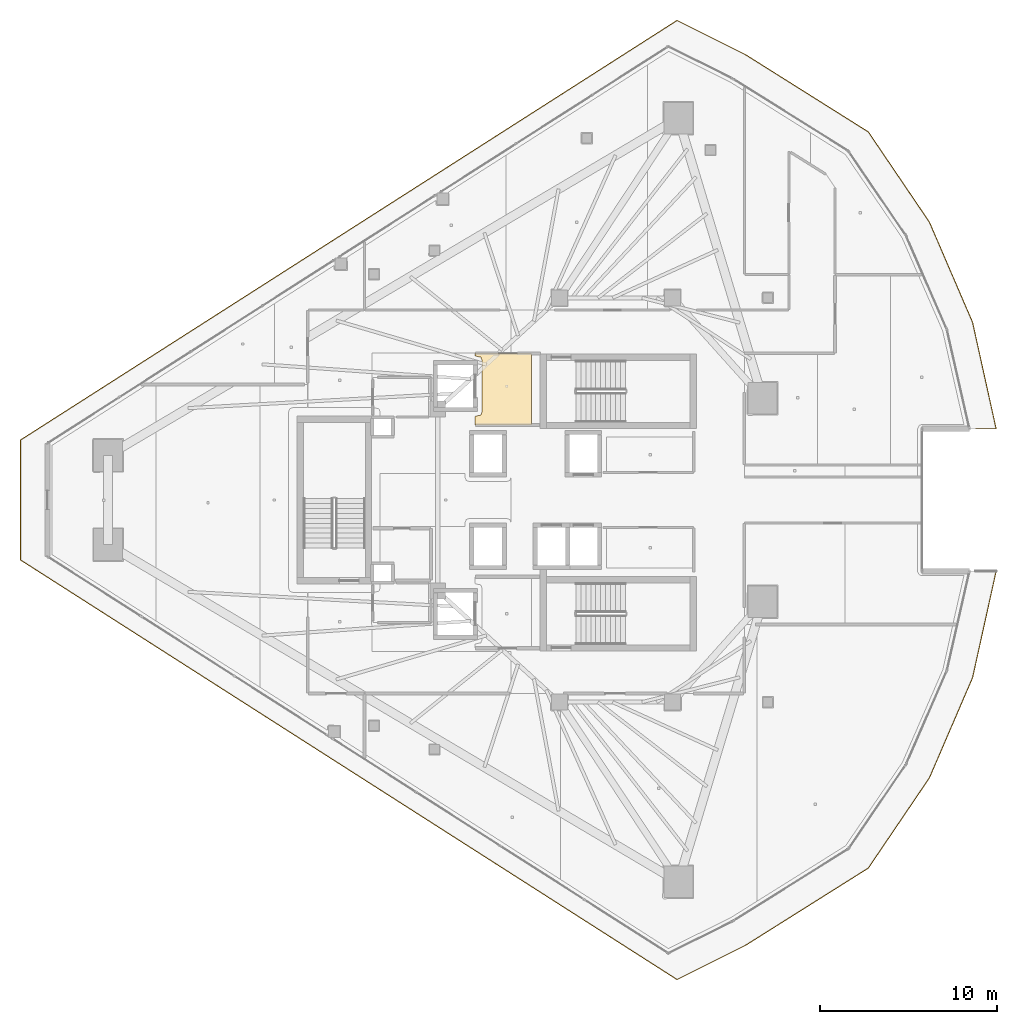
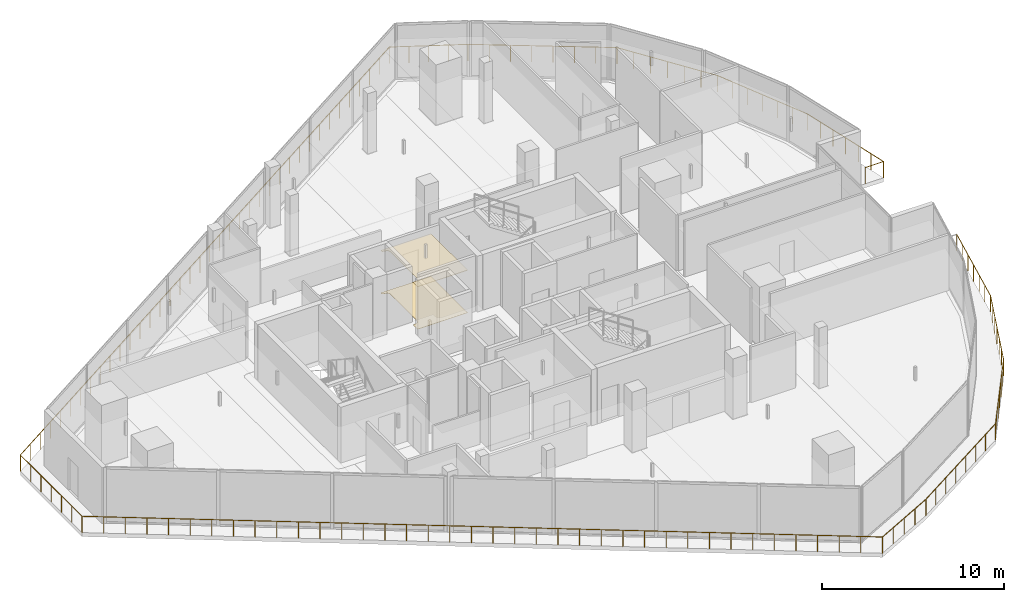
# One storey, part 31 of 34: 2 coverings, 1 railing.
"""IFC4 building model written with IfcOpenShell, lengths in metres."""

from ifc_helpers import new_model, si_unit, direction, frame, origin, origin_2d, place, context, subcontext, project, spatial, polyline, circle, outline, extrude, material, layer, layer_set, type_object, element, save


model = new_model("IFC4")

# Units and contexts
model_context = context("Model", 3, precision=1e-05, world=origin(), true_north=direction((0.0, 1.0)))
body_context = subcontext(model_context, "Body", "Model", "MODEL_VIEW")
ifc_project = project(units=[si_unit("LENGTHUNIT", "METRE"), si_unit("AREAUNIT", "SQUARE_METRE"), si_unit("VOLUMEUNIT", "CUBIC_METRE"), si_unit("PLANEANGLEUNIT", "RADIAN"), si_unit("MASSUNIT", "GRAM", prefix="KILO")], contexts=[model_context])

# Site, building, storey
site_placement = place(None, origin())
site = spatial("IfcSite", under=ifc_project, at=site_placement, CompositionType="ELEMENT")
building_placement = place(site_placement, origin())
building = spatial("IfcBuilding", under=site, at=building_placement, Name="Qorvath Tower", CompositionType="ELEMENT")
storey_placement = place(building_placement, frame((0.0, 0.0, 245.550048828125)))
storey = spatial("IfcBuildingStorey", under=building, at=storey_placement, Name="L57", CompositionType="ELEMENT", Elevation=245.550048828125)

# Coverings
ifc_material_1 = material(Name="Acoustic mineral fibre ceiling tile", Category="gypsum")
ifc_layer_1 = layer(ifc_material_1, 0.030029296875)
ifc_layer_set_1 = layer_set([ifc_layer_1], Name="COV-CEIL")
covering_type_1 = type_object("IfcCoveringType", Name="COV-CEIL", PredefinedType="CEILING", material=ifc_layer_set_1)
covering_1_placement = place(storey_placement, frame((0.0, 0.0, 2.849853515625)))
element("IfcCovering", 1, at=covering_1_placement, inside=storey, type_object=covering_type_1, Name="L57 Suspended Acoustic Ceiling 001", PredefinedType="CEILING", context=body_context, shape_type="SweptSolid", body=[
    extrude(outline(polyline([(-25.18994140625, 4.2548828125), (-25.18994140625, 8.294921875), (-28.375, 8.294921875), (-28.375, 8.159912109375), (-28.063232421875, 8.086669921875), (-27.989990234375, 7.909912109375), (-27.989990234375, 4.989990234375), (-28.063232421875, 4.813232421875), (-28.375, 4.739990234375), (-28.375, 4.2548828125), (-25.18994140625, 4.2548828125)])), origin(), (0.0, 0.0, 1.0), 0.030029296875),
])
ifc_material_2 = material(Name="Polished epoxy terrazzo flooring", Category="concrete")
ifc_layer_2 = layer(ifc_material_2, 0.02001953125)
ifc_layer_set_2 = layer_set([ifc_layer_2], Name="COV-FLOOR-TRZ")
covering_type_2 = type_object("IfcCoveringType", Name="COV-FLOOR-TRZ", PredefinedType="FLOORING", material=ifc_layer_set_2)
covering_2_placement = place(storey_placement, origin())
element("IfcCovering", 2, at=covering_2_placement, inside=storey, type_object=covering_type_2, Name="L57 Floor Finish 001", PredefinedType="FLOORING", context=body_context, shape_type="SweptSolid", body=[
    extrude(outline(polyline([(-25.18994140625, 4.2548828125), (-25.18994140625, 8.294921875), (-28.375, 8.294921875), (-28.375, 8.159912109375), (-28.063232421875, 8.086669921875), (-27.989990234375, 7.909912109375), (-27.989990234375, 4.989990234375), (-28.063232421875, 4.813232421875), (-28.375, 4.739990234375), (-28.375, 4.2548828125), (-25.18994140625, 4.2548828125)])), origin(), (0.0, 0.0, 1.0), 0.014892578125),
])

# Railing
ifc_material_3 = material(Name="Laminated safety glass and stainless steel AISI 316", Category="steel")
railing_type = type_object("IfcRailingType", Name="RL-EXT-GRD", PredefinedType="GUARDRAIL", material=ifc_material_3)
railing_placement = place(storey_placement, frame((1.131591796875, -4.03369140625, 0.0)))
element("IfcRailing", 3, at=railing_placement, inside=storey, type_object=railing_type, Name="Loggia Perimeter Guardrail L57-1.1", PredefinedType="GUARDRAIL", context=body_context, shape_type="SweptSolid", body=[
    extrude(circle(Radius=0.02392578125, at=origin_2d()), frame((0.0, 0.0, 1.09619140625), z_axis=(-0.216072491468, -0.9763773238, 0.0), x_axis=(0.9763773238, -0.216072491468, 0.0)), (0.0, 0.0, 1.0), 6.17724609375),
    extrude(circle(Radius=0.02392578125, at=origin_2d()), frame((-1.334716796875, -6.03125, 1.09619140625), z_axis=(-0.395483357671, -0.91847314267, 0.0), x_axis=(0.91847314267, -0.395483357671, 0.0)), (0.0, 0.0, 1.0), 6.177001953125),
    extrude(circle(Radius=0.02392578125, at=origin_2d()), frame((-3.777587890625, -11.70458984375, 1.09619140625), z_axis=(-0.560832414772, -0.827929346346, 0.0), x_axis=(0.827929346346, -0.560832414772, 0.0)), (0.0, 0.0, 1.0), 6.17724609375),
    extrude(circle(Radius=0.02392578125, at=origin_2d()), frame((-7.241943359375, -16.81884765625, 1.09619140625), z_axis=(-0.846493807587, -0.532398566599, 0.0), x_axis=(0.532398566599, -0.846493807587, 0.0)), (0.0, 0.0, 1.0), 8.21435546875),
    extrude(circle(Radius=0.02392578125, at=origin_2d()), frame((-14.1953125, -21.192138671875, 1.09619140625), z_axis=(-0.894427191, -0.4472135955, 0.0), x_axis=(0.4472135955, -0.894427191, 0.0)), (0.0, 0.0, 1.0), 4.3388671875),
    extrude(circle(Radius=0.02392578125, at=origin_2d()), frame((-18.076171875, -23.132568359375, 1.09619140625), z_axis=(-0.842603536239, 0.538534382113, 0.0), x_axis=(-0.538534382113, -0.842603536239, 0.0)), (0.0, 0.0, 1.0), 44.13916015625),
    extrude(circle(Radius=0.02392578125, at=origin_2d()), frame((-55.26806640625, 0.637939453125, 1.09619140625), z_axis=(0.0, 1.0, 0.0), x_axis=(-1.0, 0.0, 0.0)), (0.0, 0.0, 1.0), 6.79150390625),
    extrude(circle(Radius=0.02392578125, at=origin_2d()), frame((-55.26806640625, 7.429443359375, 1.09619140625), z_axis=(0.842603536239, 0.538534382113, 0.0), x_axis=(-0.538534382113, 0.842603536239, 0.0)), (0.0, 0.0, 1.0), 44.13916015625),
    extrude(circle(Radius=0.02392578125, at=origin_2d()), frame((-18.076171875, 31.199951171875, 1.09619140625), z_axis=(0.894427191, -0.4472135955, 0.0), x_axis=(0.4472135955, 0.894427191, 0.0)), (0.0, 0.0, 1.0), 4.3388671875),
    extrude(circle(Radius=0.02392578125, at=origin_2d()), frame((-14.1953125, 29.259521484375, 1.09619140625), z_axis=(0.846493807587, -0.532398566599, 0.0), x_axis=(0.532398566599, 0.846493807587, 0.0)), (0.0, 0.0, 1.0), 8.21435546875),
    extrude(circle(Radius=0.02392578125, at=origin_2d()), frame((-7.241943359375, 24.88623046875, 1.09619140625), z_axis=(0.560832414772, -0.827929346346, 0.0), x_axis=(0.827929346346, 0.560832414772, 0.0)), (0.0, 0.0, 1.0), 6.17724609375),
    extrude(circle(Radius=0.02392578125, at=origin_2d()), frame((-3.777587890625, 19.77197265625, 1.09619140625), z_axis=(0.395483357671, -0.91847314267, 0.0), x_axis=(0.91847314267, 0.395483357671, 0.0)), (0.0, 0.0, 1.0), 6.177001953125),
    extrude(circle(Radius=0.02392578125, at=origin_2d()), frame((-1.334716796875, 14.0986328125, 1.09619140625), z_axis=(0.216072491468, -0.9763773238, 0.0), x_axis=(0.9763773238, 0.216072491468, 0.0)), (0.0, 0.0, 1.0), 6.17724609375),
    extrude(circle(Radius=0.02392578125, at=origin_2d()), frame((0.0, 8.0673828125, 1.09619140625), z_axis=(-1.0, 0.0, 0.0), x_axis=(0.0, -1.0, 0.0)), (0.0, 0.0, 1.0), 1.158935546875),
    extrude(circle(Radius=0.02099609375, at=origin_2d()), origin(), (0.0, 0.0, 1.0), 1.072021484375),
    extrude(circle(Radius=0.02099609375, at=origin_2d()), frame((-0.222412109375, -1.005126953125, 0.0)), (0.0, 0.0, 1.0), 1.072021484375),
    extrude(circle(Radius=0.02099609375, at=origin_2d()), frame((-0.44482421875, -2.010498046875, 0.0)), (0.0, 0.0, 1.0), 1.072021484375),
    extrude(circle(Radius=0.02099609375, at=origin_2d()), frame((-0.66748046875, -3.015625, 0.0)), (0.0, 0.0, 1.0), 1.072021484375),
    extrude(circle(Radius=0.02099609375, at=origin_2d()), frame((-0.889892578125, -4.020751953125, 0.0)), (0.0, 0.0, 1.0), 1.072021484375),
    extrude(circle(Radius=0.02099609375, at=origin_2d()), frame((-1.1123046875, -5.026123046875, 0.0)), (0.0, 0.0, 1.0), 1.072021484375),
    extrude(circle(Radius=0.02099609375, at=origin_2d()), frame((-1.334716796875, -6.03125, 0.0)), (0.0, 0.0, 1.0), 1.072021484375),
    extrude(circle(Radius=0.02099609375, at=origin_2d()), frame((-1.741943359375, -6.976806640625, 0.0)), (0.0, 0.0, 1.0), 1.072021484375),
    extrude(circle(Radius=0.02099609375, at=origin_2d()), frame((-2.14892578125, -7.92236328125, 0.0)), (0.0, 0.0, 1.0), 1.072021484375),
    extrude(circle(Radius=0.02099609375, at=origin_2d()), frame((-2.55615234375, -8.867919921875, 0.0)), (0.0, 0.0, 1.0), 1.072021484375),
    extrude(circle(Radius=0.02099609375, at=origin_2d()), frame((-2.96337890625, -9.8134765625, 0.0)), (0.0, 0.0, 1.0), 1.072021484375),
    extrude(circle(Radius=0.02099609375, at=origin_2d()), frame((-3.370361328125, -10.759033203125, 0.0)), (0.0, 0.0, 1.0), 1.072021484375),
    extrude(circle(Radius=0.02099609375, at=origin_2d()), frame((-3.777587890625, -11.70458984375, 0.0)), (0.0, 0.0, 1.0), 1.072021484375),
    extrude(circle(Radius=0.02099609375, at=origin_2d()), frame((-4.35498046875, -12.556884765625, 0.0)), (0.0, 0.0, 1.0), 1.072021484375),
    extrude(circle(Radius=0.02099609375, at=origin_2d()), frame((-4.932373046875, -13.409423828125, 0.0)), (0.0, 0.0, 1.0), 1.072021484375),
    extrude(circle(Radius=0.02099609375, at=origin_2d()), frame((-5.509765625, -14.26171875, 0.0)), (0.0, 0.0, 1.0), 1.072021484375),
    extrude(circle(Radius=0.02099609375, at=origin_2d()), frame((-6.087158203125, -15.114013671875, 0.0)), (0.0, 0.0, 1.0), 1.072021484375),
    extrude(circle(Radius=0.02099609375, at=origin_2d()), frame((-6.66455078125, -15.966552734375, 0.0)), (0.0, 0.0, 1.0), 1.072021484375),
    extrude(circle(Radius=0.02099609375, at=origin_2d()), frame((-7.241943359375, -16.81884765625, 0.0)), (0.0, 0.0, 1.0), 1.072021484375),
    extrude(circle(Radius=0.02099609375, at=origin_2d()), frame((-8.2353515625, -17.443603515625, 0.0)), (0.0, 0.0, 1.0), 1.072021484375),
    extrude(circle(Radius=0.02099609375, at=origin_2d()), frame((-9.228515625, -18.068359375, 0.0)), (0.0, 0.0, 1.0), 1.072021484375),
    extrude(circle(Radius=0.02099609375, at=origin_2d()), frame((-10.221923828125, -18.693115234375, 0.0)), (0.0, 0.0, 1.0), 1.072021484375),
    extrude(circle(Radius=0.02099609375, at=origin_2d()), frame((-11.21533203125, -19.31787109375, 0.0)), (0.0, 0.0, 1.0), 1.072021484375),
    extrude(circle(Radius=0.02099609375, at=origin_2d()), frame((-12.208740234375, -19.942626953125, 0.0)), (0.0, 0.0, 1.0), 1.072021484375),
    extrude(circle(Radius=0.02099609375, at=origin_2d()), frame((-13.201904296875, -20.5673828125, 0.0)), (0.0, 0.0, 1.0), 1.072021484375),
    extrude(circle(Radius=0.02099609375, at=origin_2d()), frame((-14.1953125, -21.192138671875, 0.0)), (0.0, 0.0, 1.0), 1.072021484375),
    extrude(circle(Radius=0.02099609375, at=origin_2d()), frame((-15.16552734375, -21.67724609375, 0.0)), (0.0, 0.0, 1.0), 1.072021484375),
    extrude(circle(Radius=0.02099609375, at=origin_2d()), frame((-16.1357421875, -22.162353515625, 0.0)), (0.0, 0.0, 1.0), 1.072021484375),
    extrude(circle(Radius=0.02099609375, at=origin_2d()), frame((-17.10595703125, -22.6474609375, 0.0)), (0.0, 0.0, 1.0), 1.072021484375),
    extrude(circle(Radius=0.02099609375, at=origin_2d()), frame((-18.076171875, -23.132568359375, 0.0)), (0.0, 0.0, 1.0), 1.072021484375),
    extrude(circle(Radius=0.02099609375, at=origin_2d()), frame((-19.081298828125, -22.490234375, 0.0)), (0.0, 0.0, 1.0), 1.072021484375),
    extrude(circle(Radius=0.02099609375, at=origin_2d()), frame((-20.08642578125, -21.84765625, 0.0)), (0.0, 0.0, 1.0), 1.072021484375),
    extrude(circle(Radius=0.02099609375, at=origin_2d()), frame((-21.091796875, -21.205322265625, 0.0)), (0.0, 0.0, 1.0), 1.072021484375),
    extrude(circle(Radius=0.02099609375, at=origin_2d()), frame((-22.096923828125, -20.562744140625, 0.0)), (0.0, 0.0, 1.0), 1.072021484375),
    extrude(circle(Radius=0.02099609375, at=origin_2d()), frame((-23.10205078125, -19.92041015625, 0.0)), (0.0, 0.0, 1.0), 1.072021484375),
    extrude(circle(Radius=0.02099609375, at=origin_2d()), frame((-24.107177734375, -19.27783203125, 0.0)), (0.0, 0.0, 1.0), 1.072021484375),
    extrude(circle(Radius=0.02099609375, at=origin_2d()), frame((-25.112548828125, -18.635498046875, 0.0)), (0.0, 0.0, 1.0), 1.072021484375),
    extrude(circle(Radius=0.02099609375, at=origin_2d()), frame((-26.11767578125, -17.992919921875, 0.0)), (0.0, 0.0, 1.0), 1.072021484375),
    extrude(circle(Radius=0.02099609375, at=origin_2d()), frame((-27.122802734375, -17.3505859375, 0.0)), (0.0, 0.0, 1.0), 1.072021484375),
    extrude(circle(Radius=0.02099609375, at=origin_2d()), frame((-28.1279296875, -16.7080078125, 0.0)), (0.0, 0.0, 1.0), 1.072021484375),
    extrude(circle(Radius=0.02099609375, at=origin_2d()), frame((-29.13330078125, -16.065673828125, 0.0)), (0.0, 0.0, 1.0), 1.072021484375),
    extrude(circle(Radius=0.02099609375, at=origin_2d()), frame((-30.138427734375, -15.423095703125, 0.0)), (0.0, 0.0, 1.0), 1.072021484375),
    extrude(circle(Radius=0.02099609375, at=origin_2d()), frame((-31.1435546875, -14.78076171875, 0.0)), (0.0, 0.0, 1.0), 1.072021484375),
    extrude(circle(Radius=0.02099609375, at=origin_2d()), frame((-32.148681640625, -14.138427734375, 0.0)), (0.0, 0.0, 1.0), 1.072021484375),
    extrude(circle(Radius=0.02099609375, at=origin_2d()), frame((-33.154052734375, -13.495849609375, 0.0)), (0.0, 0.0, 1.0), 1.072021484375),
    extrude(circle(Radius=0.02099609375, at=origin_2d()), frame((-34.1591796875, -12.853515625, 0.0)), (0.0, 0.0, 1.0), 1.072021484375),
    extrude(circle(Radius=0.02099609375, at=origin_2d()), frame((-35.164306640625, -12.2109375, 0.0)), (0.0, 0.0, 1.0), 1.072021484375),
    extrude(circle(Radius=0.02099609375, at=origin_2d()), frame((-36.16943359375, -11.568603515625, 0.0)), (0.0, 0.0, 1.0), 1.072021484375),
    extrude(circle(Radius=0.02099609375, at=origin_2d()), frame((-37.1748046875, -10.926025390625, 0.0)), (0.0, 0.0, 1.0), 1.072021484375),
    extrude(circle(Radius=0.02099609375, at=origin_2d()), frame((-38.179931640625, -10.28369140625, 0.0)), (0.0, 0.0, 1.0), 1.072021484375),
    extrude(circle(Radius=0.02099609375, at=origin_2d()), frame((-39.18505859375, -9.64111328125, 0.0)), (0.0, 0.0, 1.0), 1.072021484375),
    extrude(circle(Radius=0.02099609375, at=origin_2d()), frame((-40.190185546875, -8.998779296875, 0.0)), (0.0, 0.0, 1.0), 1.072021484375),
    extrude(circle(Radius=0.02099609375, at=origin_2d()), frame((-41.195556640625, -8.356201171875, 0.0)), (0.0, 0.0, 1.0), 1.072021484375),
    extrude(circle(Radius=0.02099609375, at=origin_2d()), frame((-42.20068359375, -7.7138671875, 0.0)), (0.0, 0.0, 1.0), 1.072021484375),
    extrude(circle(Radius=0.02099609375, at=origin_2d()), frame((-43.205810546875, -7.071533203125, 0.0)), (0.0, 0.0, 1.0), 1.072021484375),
    extrude(circle(Radius=0.02099609375, at=origin_2d()), frame((-44.2109375, -6.428955078125, 0.0)), (0.0, 0.0, 1.0), 1.072021484375),
    extrude(circle(Radius=0.02099609375, at=origin_2d()), frame((-45.21630859375, -5.78662109375, 0.0)), (0.0, 0.0, 1.0), 1.072021484375),
    extrude(circle(Radius=0.02099609375, at=origin_2d()), frame((-46.221435546875, -5.14404296875, 0.0)), (0.0, 0.0, 1.0), 1.072021484375),
    extrude(circle(Radius=0.02099609375, at=origin_2d()), frame((-47.2265625, -4.501708984375, 0.0)), (0.0, 0.0, 1.0), 1.072021484375),
    extrude(circle(Radius=0.02099609375, at=origin_2d()), frame((-48.231689453125, -3.859130859375, 0.0)), (0.0, 0.0, 1.0), 1.072021484375),
    extrude(circle(Radius=0.02099609375, at=origin_2d()), frame((-49.237060546875, -3.216796875, 0.0)), (0.0, 0.0, 1.0), 1.072021484375),
    extrude(circle(Radius=0.02099609375, at=origin_2d()), frame((-50.2421875, -2.57421875, 0.0)), (0.0, 0.0, 1.0), 1.072021484375),
    extrude(circle(Radius=0.02099609375, at=origin_2d()), frame((-51.247314453125, -1.931884765625, 0.0)), (0.0, 0.0, 1.0), 1.072021484375),
    extrude(circle(Radius=0.02099609375, at=origin_2d()), frame((-52.25244140625, -1.289306640625, 0.0)), (0.0, 0.0, 1.0), 1.072021484375),
    extrude(circle(Radius=0.02099609375, at=origin_2d()), frame((-53.2578125, -0.64697265625, 0.0)), (0.0, 0.0, 1.0), 1.072021484375),
    extrude(circle(Radius=0.02099609375, at=origin_2d()), frame((-54.262939453125, -0.00439453125, 0.0)), (0.0, 0.0, 1.0), 1.072021484375),
    extrude(circle(Radius=0.02099609375, at=origin_2d()), frame((-55.26806640625, 0.637939453125, 0.0)), (0.0, 0.0, 1.0), 1.072021484375),
    extrude(circle(Radius=0.02099609375, at=origin_2d()), frame((-55.26806640625, 1.769775390625, 0.0)), (0.0, 0.0, 1.0), 1.072021484375),
    extrude(circle(Radius=0.02099609375, at=origin_2d()), frame((-55.26806640625, 2.90185546875, 0.0)), (0.0, 0.0, 1.0), 1.072021484375),
    extrude(circle(Radius=0.02099609375, at=origin_2d()), frame((-55.26806640625, 4.03369140625, 0.0)), (0.0, 0.0, 1.0), 1.072021484375),
    extrude(circle(Radius=0.02099609375, at=origin_2d()), frame((-55.26806640625, 5.16552734375, 0.0)), (0.0, 0.0, 1.0), 1.072021484375),
    extrude(circle(Radius=0.02099609375, at=origin_2d()), frame((-55.26806640625, 6.297607421875, 0.0)), (0.0, 0.0, 1.0), 1.072021484375),
    extrude(circle(Radius=0.02099609375, at=origin_2d()), frame((-55.26806640625, 7.429443359375, 0.0)), (0.0, 0.0, 1.0), 1.072021484375),
    extrude(circle(Radius=0.02099609375, at=origin_2d()), frame((-54.262939453125, 8.07177734375, 0.0)), (0.0, 0.0, 1.0), 1.072021484375),
    extrude(circle(Radius=0.02099609375, at=origin_2d()), frame((-53.2578125, 8.71435546875, 0.0)), (0.0, 0.0, 1.0), 1.072021484375),
    extrude(circle(Radius=0.02099609375, at=origin_2d()), frame((-52.25244140625, 9.356689453125, 0.0)), (0.0, 0.0, 1.0), 1.072021484375),
    extrude(circle(Radius=0.02099609375, at=origin_2d()), frame((-51.247314453125, 9.999267578125, 0.0)), (0.0, 0.0, 1.0), 1.072021484375),
    extrude(circle(Radius=0.02099609375, at=origin_2d()), frame((-50.2421875, 10.6416015625, 0.0)), (0.0, 0.0, 1.0), 1.072021484375),
    extrude(circle(Radius=0.02099609375, at=origin_2d()), frame((-49.237060546875, 11.2841796875, 0.0)), (0.0, 0.0, 1.0), 1.072021484375),
    extrude(circle(Radius=0.02099609375, at=origin_2d()), frame((-48.231689453125, 11.926513671875, 0.0)), (0.0, 0.0, 1.0), 1.072021484375),
    extrude(circle(Radius=0.02099609375, at=origin_2d()), frame((-47.2265625, 12.569091796875, 0.0)), (0.0, 0.0, 1.0), 1.072021484375),
    extrude(circle(Radius=0.02099609375, at=origin_2d()), frame((-46.221435546875, 13.21142578125, 0.0)), (0.0, 0.0, 1.0), 1.072021484375),
    extrude(circle(Radius=0.02099609375, at=origin_2d()), frame((-45.21630859375, 13.85400390625, 0.0)), (0.0, 0.0, 1.0), 1.072021484375),
    extrude(circle(Radius=0.02099609375, at=origin_2d()), frame((-44.2109375, 14.496337890625, 0.0)), (0.0, 0.0, 1.0), 1.072021484375),
    extrude(circle(Radius=0.02099609375, at=origin_2d()), frame((-43.205810546875, 15.138916015625, 0.0)), (0.0, 0.0, 1.0), 1.072021484375),
    extrude(circle(Radius=0.02099609375, at=origin_2d()), frame((-42.20068359375, 15.78125, 0.0)), (0.0, 0.0, 1.0), 1.072021484375),
    extrude(circle(Radius=0.02099609375, at=origin_2d()), frame((-41.195556640625, 16.423583984375, 0.0)), (0.0, 0.0, 1.0), 1.072021484375),
    extrude(circle(Radius=0.02099609375, at=origin_2d()), frame((-40.190185546875, 17.066162109375, 0.0)), (0.0, 0.0, 1.0), 1.072021484375),
    extrude(circle(Radius=0.02099609375, at=origin_2d()), frame((-39.18505859375, 17.70849609375, 0.0)), (0.0, 0.0, 1.0), 1.072021484375),
    extrude(circle(Radius=0.02099609375, at=origin_2d()), frame((-38.179931640625, 18.35107421875, 0.0)), (0.0, 0.0, 1.0), 1.072021484375),
    extrude(circle(Radius=0.02099609375, at=origin_2d()), frame((-37.1748046875, 18.993408203125, 0.0)), (0.0, 0.0, 1.0), 1.072021484375),
    extrude(circle(Radius=0.02099609375, at=origin_2d()), frame((-36.16943359375, 19.635986328125, 0.0)), (0.0, 0.0, 1.0), 1.072021484375),
    extrude(circle(Radius=0.02099609375, at=origin_2d()), frame((-35.164306640625, 20.2783203125, 0.0)), (0.0, 0.0, 1.0), 1.072021484375),
    extrude(circle(Radius=0.02099609375, at=origin_2d()), frame((-34.1591796875, 20.9208984375, 0.0)), (0.0, 0.0, 1.0), 1.072021484375),
    extrude(circle(Radius=0.02099609375, at=origin_2d()), frame((-33.154052734375, 21.563232421875, 0.0)), (0.0, 0.0, 1.0), 1.072021484375),
    extrude(circle(Radius=0.02099609375, at=origin_2d()), frame((-32.148681640625, 22.205810546875, 0.0)), (0.0, 0.0, 1.0), 1.072021484375),
    extrude(circle(Radius=0.02099609375, at=origin_2d()), frame((-31.1435546875, 22.84814453125, 0.0)), (0.0, 0.0, 1.0), 1.072021484375),
    extrude(circle(Radius=0.02099609375, at=origin_2d()), frame((-30.138427734375, 23.490478515625, 0.0)), (0.0, 0.0, 1.0), 1.072021484375),
    extrude(circle(Radius=0.02099609375, at=origin_2d()), frame((-29.13330078125, 24.133056640625, 0.0)), (0.0, 0.0, 1.0), 1.072021484375),
    extrude(circle(Radius=0.02099609375, at=origin_2d()), frame((-28.1279296875, 24.775390625, 0.0)), (0.0, 0.0, 1.0), 1.072021484375),
    extrude(circle(Radius=0.02099609375, at=origin_2d()), frame((-27.122802734375, 25.41796875, 0.0)), (0.0, 0.0, 1.0), 1.072021484375),
    extrude(circle(Radius=0.02099609375, at=origin_2d()), frame((-26.11767578125, 26.060302734375, 0.0)), (0.0, 0.0, 1.0), 1.072021484375),
    extrude(circle(Radius=0.02099609375, at=origin_2d()), frame((-25.112548828125, 26.702880859375, 0.0)), (0.0, 0.0, 1.0), 1.072021484375),
    extrude(circle(Radius=0.02099609375, at=origin_2d()), frame((-24.107177734375, 27.34521484375, 0.0)), (0.0, 0.0, 1.0), 1.072021484375),
    extrude(circle(Radius=0.02099609375, at=origin_2d()), frame((-23.10205078125, 27.98779296875, 0.0)), (0.0, 0.0, 1.0), 1.072021484375),
    extrude(circle(Radius=0.02099609375, at=origin_2d()), frame((-22.096923828125, 28.630126953125, 0.0)), (0.0, 0.0, 1.0), 1.072021484375),
    extrude(circle(Radius=0.02099609375, at=origin_2d()), frame((-21.091796875, 29.272705078125, 0.0)), (0.0, 0.0, 1.0), 1.072021484375),
    extrude(circle(Radius=0.02099609375, at=origin_2d()), frame((-20.08642578125, 29.9150390625, 0.0)), (0.0, 0.0, 1.0), 1.072021484375),
    extrude(circle(Radius=0.02099609375, at=origin_2d()), frame((-19.081298828125, 30.5576171875, 0.0)), (0.0, 0.0, 1.0), 1.072021484375),
    extrude(circle(Radius=0.02099609375, at=origin_2d()), frame((-18.076171875, 31.199951171875, 0.0)), (0.0, 0.0, 1.0), 1.072021484375),
    extrude(circle(Radius=0.02099609375, at=origin_2d()), frame((-17.10595703125, 30.71484375, 0.0)), (0.0, 0.0, 1.0), 1.072021484375),
    extrude(circle(Radius=0.02099609375, at=origin_2d()), frame((-16.1357421875, 30.229736328125, 0.0)), (0.0, 0.0, 1.0), 1.072021484375),
    extrude(circle(Radius=0.02099609375, at=origin_2d()), frame((-15.16552734375, 29.74462890625, 0.0)), (0.0, 0.0, 1.0), 1.072021484375),
    extrude(circle(Radius=0.02099609375, at=origin_2d()), frame((-14.1953125, 29.259521484375, 0.0)), (0.0, 0.0, 1.0), 1.072021484375),
    extrude(circle(Radius=0.02099609375, at=origin_2d()), frame((-13.201904296875, 28.634765625, 0.0)), (0.0, 0.0, 1.0), 1.072021484375),
    extrude(circle(Radius=0.02099609375, at=origin_2d()), frame((-12.208740234375, 28.010009765625, 0.0)), (0.0, 0.0, 1.0), 1.072021484375),
    extrude(circle(Radius=0.02099609375, at=origin_2d()), frame((-11.21533203125, 27.38525390625, 0.0)), (0.0, 0.0, 1.0), 1.072021484375),
    extrude(circle(Radius=0.02099609375, at=origin_2d()), frame((-10.221923828125, 26.760498046875, 0.0)), (0.0, 0.0, 1.0), 1.072021484375),
    extrude(circle(Radius=0.02099609375, at=origin_2d()), frame((-9.228515625, 26.1357421875, 0.0)), (0.0, 0.0, 1.0), 1.072021484375),
    extrude(circle(Radius=0.02099609375, at=origin_2d()), frame((-8.2353515625, 25.510986328125, 0.0)), (0.0, 0.0, 1.0), 1.072021484375),
    extrude(circle(Radius=0.02099609375, at=origin_2d()), frame((-7.241943359375, 24.88623046875, 0.0)), (0.0, 0.0, 1.0), 1.072021484375),
    extrude(circle(Radius=0.02099609375, at=origin_2d()), frame((-6.66455078125, 24.033935546875, 0.0)), (0.0, 0.0, 1.0), 1.072021484375),
    extrude(circle(Radius=0.02099609375, at=origin_2d()), frame((-6.087158203125, 23.181396484375, 0.0)), (0.0, 0.0, 1.0), 1.072021484375),
    extrude(circle(Radius=0.02099609375, at=origin_2d()), frame((-5.509765625, 22.3291015625, 0.0)), (0.0, 0.0, 1.0), 1.072021484375),
    extrude(circle(Radius=0.02099609375, at=origin_2d()), frame((-4.932373046875, 21.476806640625, 0.0)), (0.0, 0.0, 1.0), 1.072021484375),
    extrude(circle(Radius=0.02099609375, at=origin_2d()), frame((-4.35498046875, 20.624267578125, 0.0)), (0.0, 0.0, 1.0), 1.072021484375),
    extrude(circle(Radius=0.02099609375, at=origin_2d()), frame((-3.777587890625, 19.77197265625, 0.0)), (0.0, 0.0, 1.0), 1.072021484375),
    extrude(circle(Radius=0.02099609375, at=origin_2d()), frame((-3.370361328125, 18.826416015625, 0.0)), (0.0, 0.0, 1.0), 1.072021484375),
    extrude(circle(Radius=0.02099609375, at=origin_2d()), frame((-2.96337890625, 17.880859375, 0.0)), (0.0, 0.0, 1.0), 1.072021484375),
    extrude(circle(Radius=0.02099609375, at=origin_2d()), frame((-2.55615234375, 16.935302734375, 0.0)), (0.0, 0.0, 1.0), 1.072021484375),
    extrude(circle(Radius=0.02099609375, at=origin_2d()), frame((-2.14892578125, 15.98974609375, 0.0)), (0.0, 0.0, 1.0), 1.072021484375),
    extrude(circle(Radius=0.02099609375, at=origin_2d()), frame((-1.741943359375, 15.044189453125, 0.0)), (0.0, 0.0, 1.0), 1.072021484375),
    extrude(circle(Radius=0.02099609375, at=origin_2d()), frame((-1.334716796875, 14.0986328125, 0.0)), (0.0, 0.0, 1.0), 1.072021484375),
    extrude(circle(Radius=0.02099609375, at=origin_2d()), frame((-1.1123046875, 13.093505859375, 0.0)), (0.0, 0.0, 1.0), 1.072021484375),
    extrude(circle(Radius=0.02099609375, at=origin_2d()), frame((-0.889892578125, 12.088134765625, 0.0)), (0.0, 0.0, 1.0), 1.072021484375),
    extrude(circle(Radius=0.02099609375, at=origin_2d()), frame((-0.66748046875, 11.0830078125, 0.0)), (0.0, 0.0, 1.0), 1.072021484375),
    extrude(circle(Radius=0.02099609375, at=origin_2d()), frame((-0.44482421875, 10.077880859375, 0.0)), (0.0, 0.0, 1.0), 1.072021484375),
    extrude(circle(Radius=0.02099609375, at=origin_2d()), frame((-0.222412109375, 9.072509765625, 0.0)), (0.0, 0.0, 1.0), 1.072021484375),
    extrude(circle(Radius=0.02099609375, at=origin_2d()), frame((0.0, 8.0673828125, 0.0)), (0.0, 0.0, 1.0), 1.072021484375),
    extrude(circle(Radius=0.02099609375, at=origin_2d()), frame((-1.158935546875, 8.0673828125, 0.0)), (0.0, 0.0, 1.0), 1.072021484375),
])

save(model, "model.ifc")
